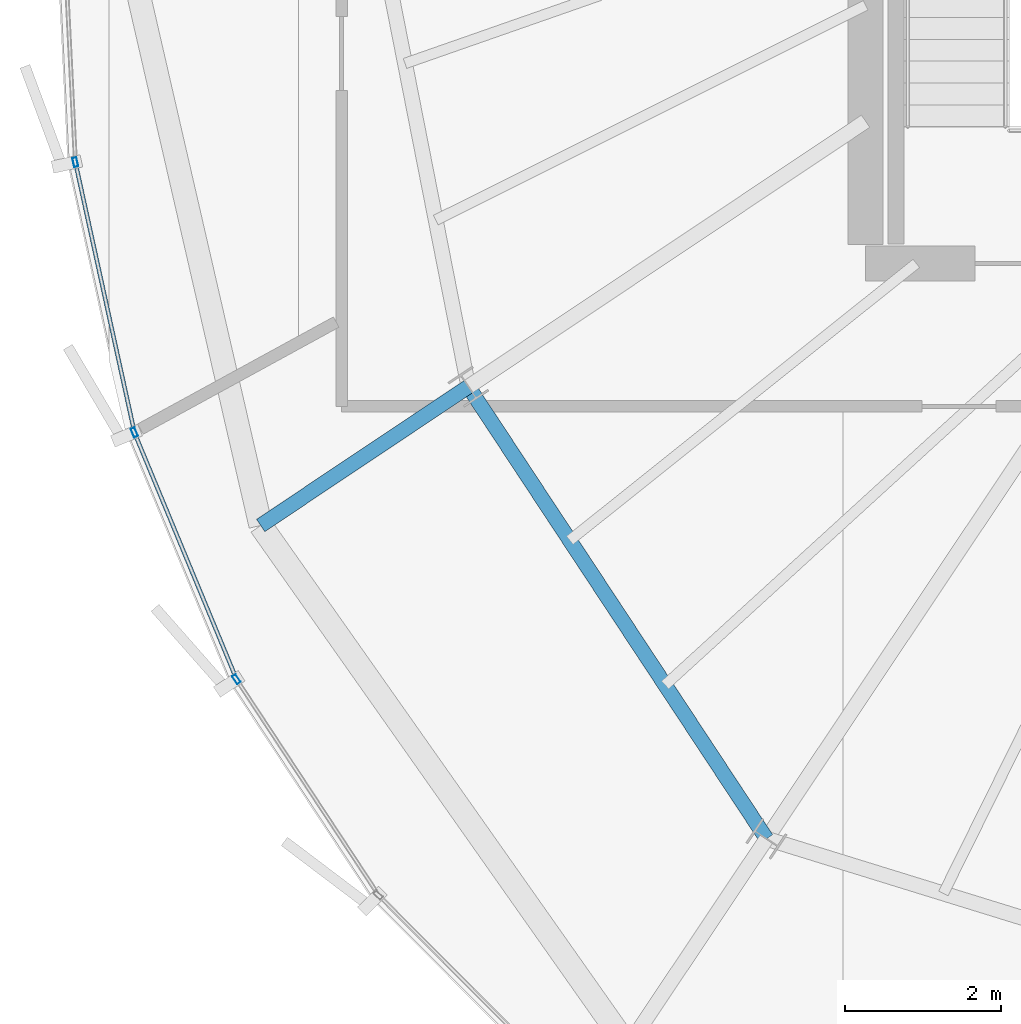
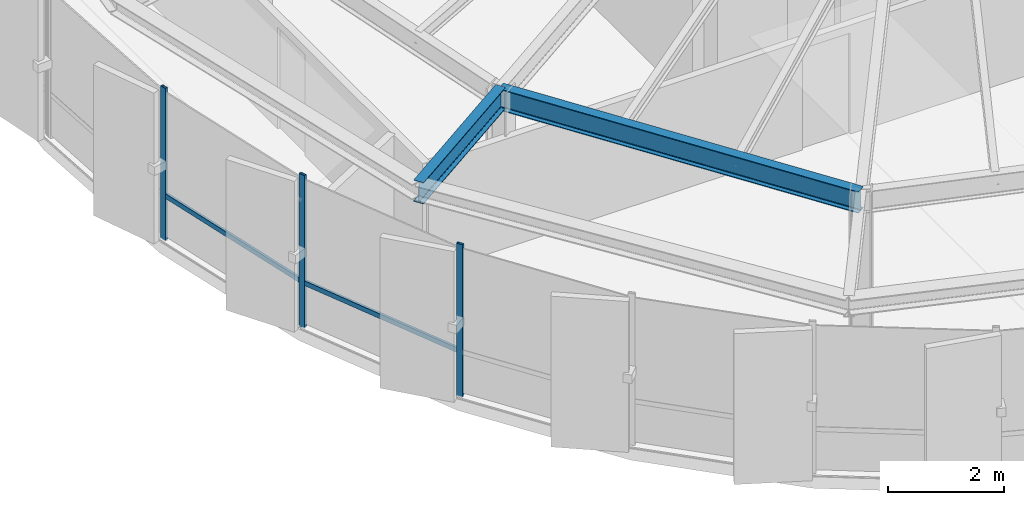
# One storey, part 4 of 31: 5 members, 2 beams, 1 element without a shape of its own.
"""IFC4 building model written with IfcOpenShell, lengths in metres."""

from ifc_helpers import new_model, si_unit, direction, frame, origin, origin_2d, place, context, subcontext, project, spatial, hollow_rectangle, i_section, extrude, source, transform, mapped, material, layer, layer_set, material_profile, profile_set, type_object, element, aggregate, save


model = new_model("IFC4")

# Units and contexts
model_context = context("Model", 3, precision=1e-05, world=origin(), true_north=direction((0.0, 1.0)))
body_context = subcontext(model_context, "Body", "Model", "MODEL_VIEW")
ifc_project = project(units=[si_unit("LENGTHUNIT", "METRE"), si_unit("AREAUNIT", "SQUARE_METRE"), si_unit("VOLUMEUNIT", "CUBIC_METRE"), si_unit("PLANEANGLEUNIT", "RADIAN"), si_unit("MASSUNIT", "GRAM", prefix="KILO"), si_unit("THERMODYNAMICTEMPERATUREUNIT", "KELVIN")], contexts=[model_context])

# Site, building, storey
site_placement = place(None, origin())
site = spatial("IfcSite", under=ifc_project, at=site_placement, CompositionType="ELEMENT")
building_placement = place(site_placement, origin())
building = spatial("IfcBuilding", under=site, at=building_placement, Name="Kethvar Cultural Tower", CompositionType="ELEMENT")
storey_placement = place(building_placement, frame((0.0, 0.0, 287.050048828125)))
storey = spatial("IfcBuildingStorey", under=building, at=storey_placement, Name="L76", CompositionType="ELEMENT", Elevation=287.050048828125)

# Beams
ifc_material_1 = material(Name="Steel S355J2", Category="steel")
ifc_material_profile_1 = material_profile(ifc_material_1, i_section(OverallWidth=0.18994140625, OverallDepth=0.449951171875, WebThickness=0.009521484375, FlangeThickness=0.0146484375, FilletRadius=0.02099609375, at=origin_2d()), Name="Steel S355J2 — IPE450")
ifc_profile_set_1 = profile_set([ifc_material_profile_1], Name="Steel S355J2 — IPE450")
beam_type = type_object("IfcBeamType", Name="BM-IPE450", PredefinedType="BEAM", material=ifc_profile_set_1)
shared_shape_1 = source(origin(), body_context, "Body", "SweptSolid", [
    extrude(i_section(OverallWidth=0.18994140625, OverallDepth=0.449951171875, WebThickness=0.009521484375, FlangeThickness=0.0146484375, FilletRadius=0.02099609375, at=origin_2d()), origin(), (0.0, 0.0, 1.0), 3.199951171875),
])
beam_1_placement = place(storey_placement, frame((32.912841796875, 18.52099609375, 2.98291015625), z_axis=(-0.831462943996, -0.555580212716, 0.0), x_axis=(0.555580212716, -0.831462943996, 0.0)))
element("IfcBeam", 1, at=beam_1_placement, inside=storey, type_object=beam_type, Name="L76 Perimeter Cantilever Beam RC-10", PredefinedType="BEAM", context=body_context, shape_type="MappedRepresentation", body=[
    mapped(shared_shape_1, transform((0.0, 0.0, 0.0), scale=1.0)),
])
shared_shape_2 = source(origin(), body_context, "Body", "SweptSolid", [
    extrude(i_section(OverallWidth=0.18994140625, OverallDepth=0.449951171875, WebThickness=0.009521484375, FlangeThickness=0.0146484375, FilletRadius=0.02099609375, at=origin_2d()), origin(), (0.0, 0.0, 1.0), 6.935791015625),
])
beam_2_placement = place(storey_placement, frame((32.912841796875, 18.52099609375, 2.98291015625), z_axis=(0.550534204139, -0.834812607759, 0.0), x_axis=(0.834812607759, 0.550534204139, 0.0)))
element("IfcBeam", 2, at=beam_2_placement, inside=storey, type_object=beam_type, Name="L76 Column Ring Tie Beam CR-10", PredefinedType="BEAM", context=body_context, shape_type="MappedRepresentation", body=[
    mapped(shared_shape_2, transform((0.0, 0.0, 0.0), scale=1.0)),
])

# Curtain wall, members
ifc_material_2 = material(Name="Aluminium 6063-T6", Category="aluminium")
ifc_layer = layer(ifc_material_2, 0.179931640625, Name="Aluminium 6063-T6", Category="aluminium")
ifc_layer_set = layer_set([ifc_layer], Name="Aluminium 6063-T6 (180 mm)")
curtain_wall_type = type_object("IfcCurtainWallType", Name="CW-SYS-05-Z56", PredefinedType="NOTDEFINED", material=ifc_layer_set)
curtain_wall_placement = place(storey_placement, origin())
curtain_wall = element("IfcCurtainWall", 3, at=curtain_wall_placement, inside=storey, type_object=curtain_wall_type, Name="L76 Curtain Wall Run 03", PredefinedType="NOTDEFINED")
ifc_material_profile_2 = material_profile(ifc_material_2, hollow_rectangle(XDim=0.054931640625, YDim=0.1201171875, WallThickness=0.00390625, at=origin_2d()), Name="Aluminium 6063-T6 — RHS120x55x4")
ifc_profile_set_2 = profile_set([ifc_material_profile_2], Name="Aluminium 6063-T6 — RHS120x55x4")
member_type_1 = type_object("IfcMemberType", Name="CW-SYS-05-Z56-MUL", PredefinedType="MULLION", material=ifc_profile_set_2)
shared_shape_3 = source(origin(), body_context, "Body", "SweptSolid", [
    extrude(hollow_rectangle(XDim=0.054931640625, YDim=0.1201171875, WallThickness=0.00390625, at=origin_2d()), origin(), (0.0, 0.0, 1.0), 3.2099609375),
])
member_1_placement = place(storey_placement, frame((27.879150390625, 21.39599609375, 0.0), z_axis=(0.0, 0.0, 1.0), x_axis=(0.976885421785, 0.213763590688, 0.0)))
member_1 = element("IfcMember", 4, at=member_1_placement, type_object=member_type_1, Name="CW-L76-R03 Mullion 2", PredefinedType="MULLION", context=body_context, shape_type="MappedRepresentation", body=[
    mapped(shared_shape_3, transform((0.0, 0.0, 0.0), scale=1.0)),
])
member_2_placement = place(storey_placement, frame((28.635009765625, 17.934814453125, 0.0), z_axis=(0.0, 0.0, 1.0), x_axis=(0.92389289012, 0.382651182652, 0.0)))
member_2 = element("IfcMember", 5, at=member_2_placement, type_object=member_type_1, Name="CW-L76-R03 Mullion 3", PredefinedType="MULLION", context=body_context, shape_type="MappedRepresentation", body=[
    mapped(shared_shape_3, transform((0.0, 0.0, 0.0), scale=1.0)),
])
member_3_placement = place(storey_placement, frame((29.94189453125, 14.7744140625, 0.0), z_axis=(0.0, 0.0, 1.0), x_axis=(0.835145579796, 0.550028963371, 0.0)))
member_3 = element("IfcMember", 6, at=member_3_placement, type_object=member_type_1, Name="CW-L76-R03 Mullion 4", PredefinedType="MULLION", context=body_context, shape_type="MappedRepresentation", body=[
    mapped(shared_shape_3, transform((0.0, 0.0, 0.0), scale=1.0)),
])
ifc_material_profile_3 = material_profile(ifc_material_2, hollow_rectangle(XDim=0.050048828125, YDim=0.10009765625, WallThickness=0.00390625, at=origin_2d()), Name="Aluminium 6063-T6 — RHS100x50x4")
ifc_profile_set_3 = profile_set([ifc_material_profile_3], Name="Aluminium 6063-T6 — RHS100x50x4")
member_type_2 = type_object("IfcMemberType", Name="CW-SYS-05-Z56-TRN", PredefinedType="USERDEFINED", material=ifc_profile_set_3)
shared_shape_4 = source(origin(), body_context, "Body", "SweptSolid", [
    extrude(hollow_rectangle(XDim=0.050048828125, YDim=0.10009765625, WallThickness=0.00390625, at=origin_2d()), origin(), (0.0, 0.0, 1.0), 3.481201171875),
])
member_4_placement = place(storey_placement, frame((27.8876953125, 21.357421875, 0.949951171875), z_axis=(0.213684330001, -0.976902762363, 0.0), x_axis=(0.976902762363, 0.213684330001, 0.0)))
member_4 = element("IfcMember", 7, at=member_4_placement, type_object=member_type_2, Name="CW-L76-R03 Transom 2", ObjectType="TRANSOM", PredefinedType="USERDEFINED", context=body_context, shape_type="MappedRepresentation", body=[
    mapped(shared_shape_4, transform((0.0, 0.0, 0.0), scale=1.0)),
])
shared_shape_5 = source(origin(), body_context, "Body", "SweptSolid", [
    extrude(hollow_rectangle(XDim=0.050048828125, YDim=0.10009765625, WallThickness=0.00390625, at=origin_2d()), origin(), (0.0, 0.0, 1.0), 3.359619140625),
])
member_5_placement = place(storey_placement, frame((28.64990234375, 17.898193359375, 0.949951171875), z_axis=(0.38266412808, -0.923887528372, 0.0), x_axis=(0.923887528372, 0.38266412808, 0.0)))
member_5 = element("IfcMember", 8, at=member_5_placement, type_object=member_type_2, Name="CW-L76-R03 Transom 3", ObjectType="TRANSOM", PredefinedType="USERDEFINED", context=body_context, shape_type="MappedRepresentation", body=[
    mapped(shared_shape_5, transform((0.0, 0.0, 0.0), scale=1.0)),
])
aggregate(curtain_wall, [member_1, member_2, member_3, member_4, member_5])

save(model, "model.ifc")
